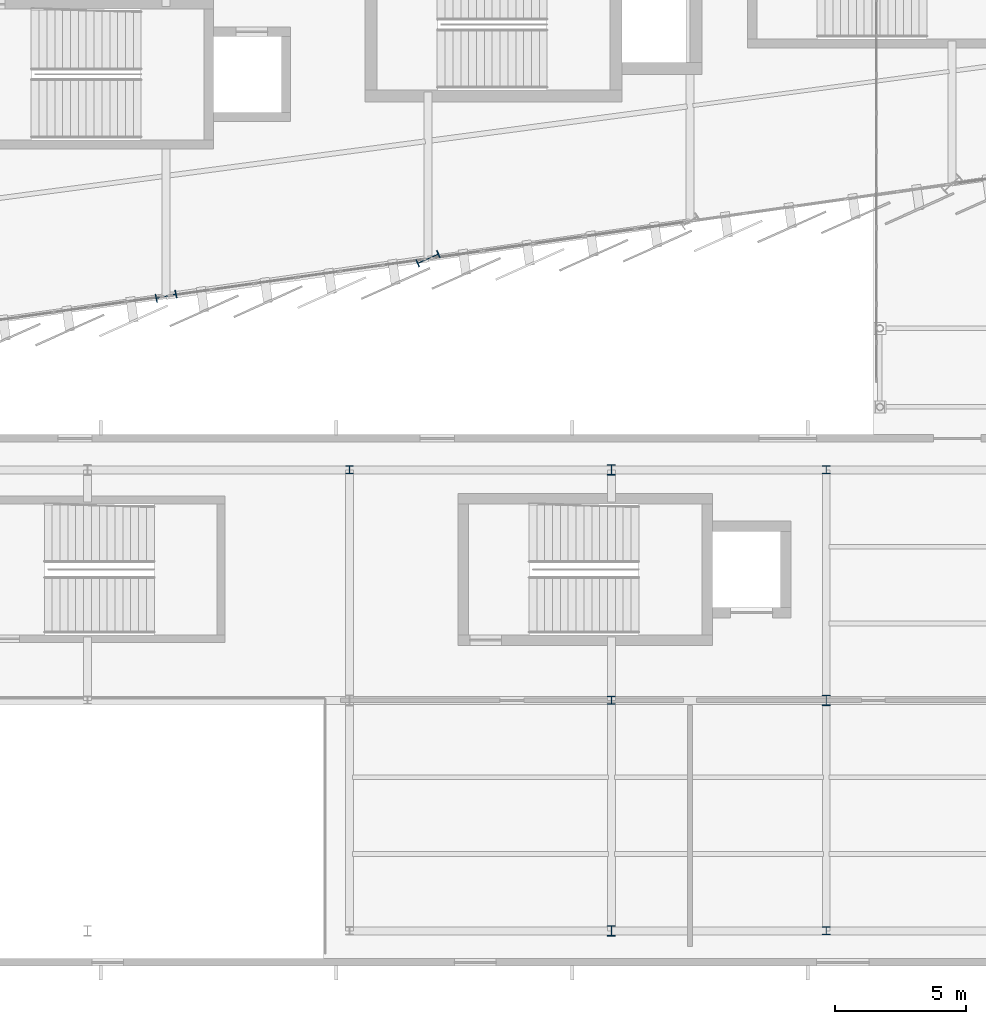
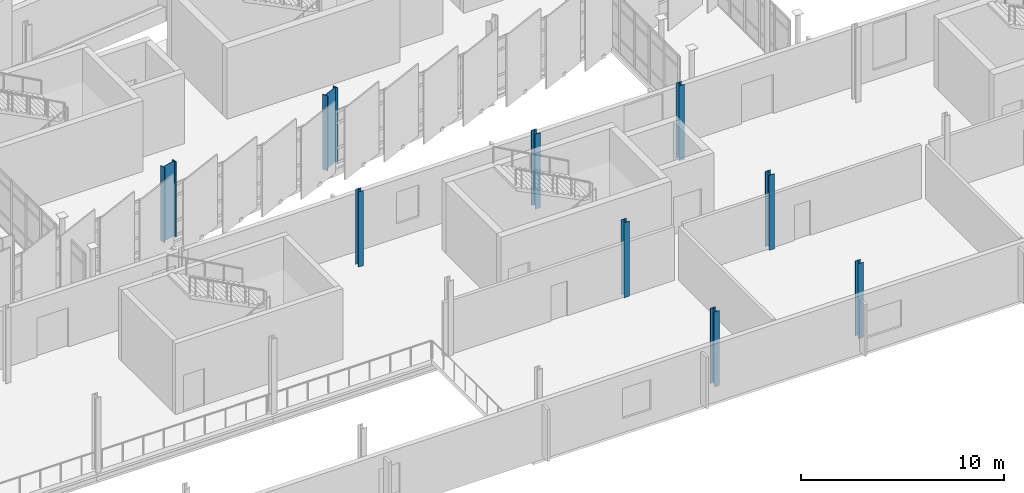
# One storey, part 6 of 134: 9 columns.
"""IFC4 building model written with IfcOpenShell, lengths in metres."""

from ifc_helpers import new_model, si_unit, direction, frame, origin, origin_2d, place, context, subcontext, project, spatial, i_section, extrude, material, material_profile, profile_set, type_object, element, save


model = new_model("IFC4")

# Units and contexts
model_context = context("Model", 3, precision=1e-05, world=origin(), true_north=direction((0.0, 1.0)))
body_context = subcontext(model_context, "Body", "Model", "MODEL_VIEW")
ifc_project = project(units=[si_unit("LENGTHUNIT", "METRE"), si_unit("AREAUNIT", "SQUARE_METRE"), si_unit("VOLUMEUNIT", "CUBIC_METRE"), si_unit("PLANEANGLEUNIT", "RADIAN"), si_unit("MASSUNIT", "GRAM", prefix="KILO")], contexts=[model_context])

# Site, building, storey
site_placement = place(None, origin())
site = spatial("IfcSite", under=ifc_project, at=site_placement, CompositionType="ELEMENT")
building_placement = place(site_placement, origin())
building = spatial("IfcBuilding", under=site, at=building_placement, Name="Sohan Crest Arena", CompositionType="ELEMENT")
storey_placement = place(building_placement, frame((0.0, 0.0, 4.5)))
storey = spatial("IfcBuildingStorey", under=building, at=storey_placement, Name="L01", CompositionType="ELEMENT", Elevation=4.5)

# Columns
ifc_material = material(Name="Steel S355", Category="steel")
ifc_material_profile_1 = material_profile(ifc_material, i_section(OverallWidth=0.300048828125, OverallDepth=0.300048828125, WebThickness=0.010986328125, FlangeThickness=0.01904296875, at=origin_2d()), Name="HEB 300")
ifc_profile_set_1 = profile_set([ifc_material_profile_1], Name="Steel S355")
column_type_1 = type_object("IfcColumnType", Name="STR-COL-C17", PredefinedType="COLUMN", material=ifc_profile_set_1)
for number, where, z_axis, x_axis, name in (
    (1, (115.0, 24.800048828125, 0.0), (0.0, 0.0, 1.0), (1.0, 0.0, 0.0), "Structural column COL-V5C-05-3-L01"),
    (2, (125.0, 16.0, 0.0), (0.0, 0.0, 1.0), (1.0, 0.0, 0.0), "Structural column COL-V5C-06-2-L01"),
    (3, (133.199951171875, 7.199951171875, 0.0), (0.0, 0.0, 1.0), (1.0, 0.0, 0.0), "Structural column COL-V5C-07-1-L01"),
    (4, (133.199951171875, 24.800048828125, 0.0), (0.0, 0.0, 1.0), (1.0, 0.0, 0.0), "Structural column COL-V5C-07-3-L01"),
):
    element("IfcColumn", number, at=place(storey_placement, frame(where, z_axis=z_axis, x_axis=x_axis)), inside=storey, type_object=column_type_1, Name=name, PredefinedType="COLUMN", context=body_context, shape_type="SweptSolid", body=[
        extrude(i_section(OverallWidth=0.300048828125, OverallDepth=0.300048828125, WebThickness=0.010986328125, FlangeThickness=0.01904296875, at=origin_2d()), origin(), (0.0, 0.0, 1.0), 4.5),
    ])
ifc_material_profile_2 = material_profile(ifc_material, i_section(OverallWidth=0.300048828125, OverallDepth=0.39990234375, WebThickness=0.013427734375, FlangeThickness=0.02392578125, at=origin_2d()), Name="HEB 400")
ifc_profile_set_2 = profile_set([ifc_material_profile_2], Name="Steel S355")
column_type_2 = type_object("IfcColumnType", Name="STR-COL-C18", PredefinedType="COLUMN", material=ifc_profile_set_2)
for number, where, z_axis, x_axis, name in (
    (5, (125.0, 7.199951171875, 0.0), (0.0, 0.0, 1.0), (1.0, 0.0, 0.0), "Structural column COL-V5C-06-1-L01"),
    (6, (125.0, 24.800048828125, 0.0), (0.0, 0.0, 1.0), (1.0, 0.0, 0.0), "Structural column COL-V5C-06-3-L01"),
    (7, (133.199951171875, 16.0, 0.0), (0.0, 0.0, 1.0), (1.0, 0.0, 0.0), "Structural column COL-V5C-07-2-L01"),
):
    element("IfcColumn", number, at=place(storey_placement, frame(where, z_axis=z_axis, x_axis=x_axis)), inside=storey, type_object=column_type_2, Name=name, PredefinedType="COLUMN", context=body_context, shape_type="SweptSolid", body=[
        extrude(i_section(OverallWidth=0.300048828125, OverallDepth=0.39990234375, WebThickness=0.013427734375, FlangeThickness=0.02392578125, at=origin_2d()), origin(), (0.0, 0.0, 1.0), 4.5),
    ])
ifc_material_profile_3 = material_profile(ifc_material, i_section(OverallWidth=0.300048828125, OverallDepth=0.800048828125, WebThickness=0.017578125, FlangeThickness=0.032958984375, at=origin_2d()), Name="HEB 800")
ifc_profile_set_3 = profile_set([ifc_material_profile_3], Name="Steel S355")
column_type_3 = type_object("IfcColumnType", Name="STR-COL-C22", PredefinedType="COLUMN", material=ifc_profile_set_3)
column_1_placement = place(storey_placement, frame((108.0, 31.428955078125, 0.0), z_axis=(0.0, 0.0, 1.0), x_axis=(-0.209618562904, 0.977783236759, 0.0)))
element("IfcColumn", 8, at=column_1_placement, inside=storey, type_object=column_type_3, Name="Structural column COL-V2O-14-L01", PredefinedType="COLUMN", context=body_context, shape_type="SweptSolid", body=[
    extrude(i_section(OverallWidth=0.300048828125, OverallDepth=0.800048828125, WebThickness=0.017578125, FlangeThickness=0.032958984375, at=origin_2d()), origin(), (0.0, 0.0, 1.0), 4.5),
])
ifc_material_profile_4 = material_profile(ifc_material, i_section(OverallWidth=0.300048828125, OverallDepth=0.89990234375, WebThickness=0.0185546875, FlangeThickness=0.034912109375, at=origin_2d()), Name="HEB 900")
ifc_profile_set_4 = profile_set([ifc_material_profile_4], Name="Steel S355")
column_type_4 = type_object("IfcColumnType", Name="STR-COL-C23", PredefinedType="COLUMN", material=ifc_profile_set_4)
column_2_placement = place(storey_placement, frame((118.0, 32.85693359375, 0.0), z_axis=(0.0, 0.0, 1.0), x_axis=(-0.40514158678, 0.914253955234, 0.0)))
element("IfcColumn", 9, at=column_2_placement, inside=storey, type_object=column_type_4, Name="Structural column COL-V2O-15-L01", PredefinedType="COLUMN", context=body_context, shape_type="SweptSolid", body=[
    extrude(i_section(OverallWidth=0.300048828125, OverallDepth=0.89990234375, WebThickness=0.0185546875, FlangeThickness=0.034912109375, at=origin_2d()), origin(), (0.0, 0.0, 1.0), 4.5),
])

save(model, "model.ifc")
